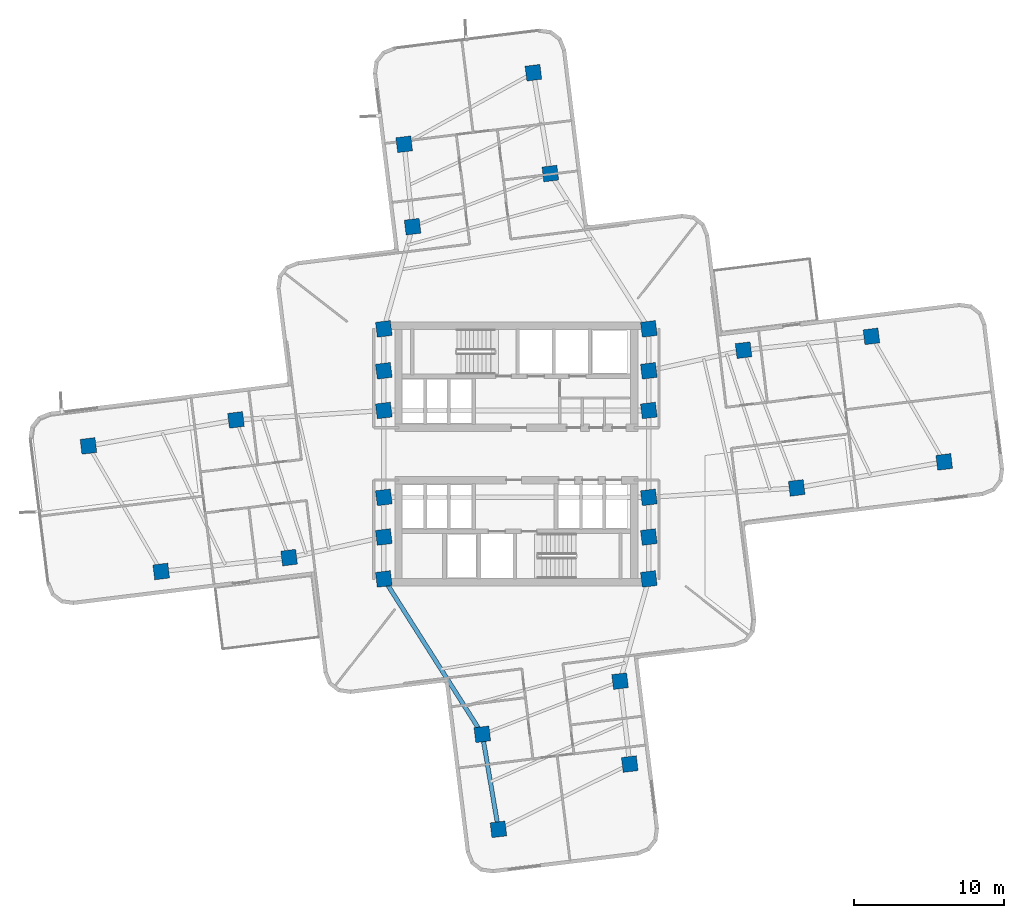
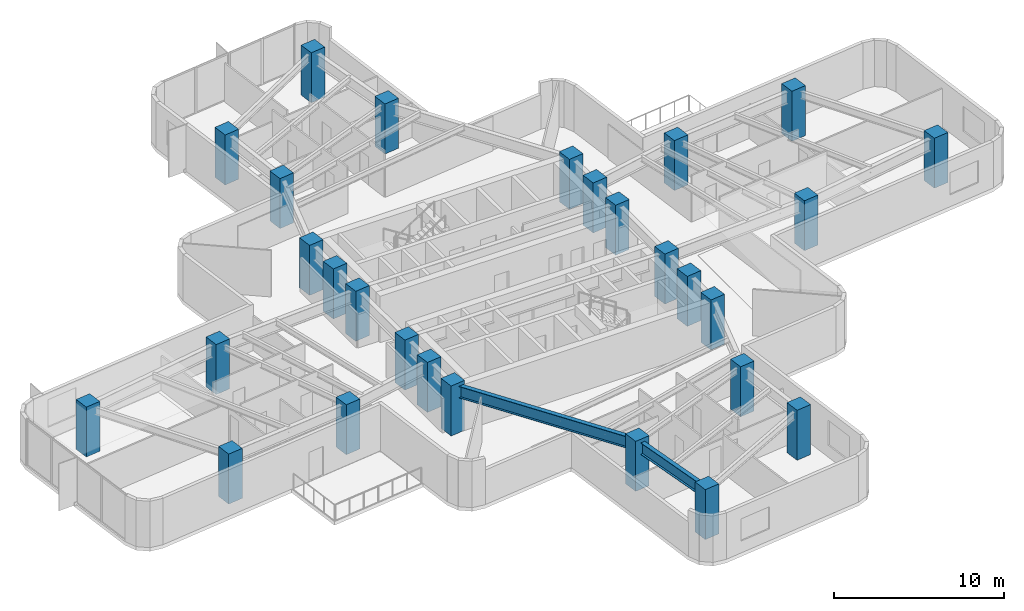
# One storey, part 1 of 13: 28 columns, 2 beams.
"""IFC4 building model written with IfcOpenShell, lengths in metres."""

from ifc_helpers import new_model, si_unit, direction, frame, origin, origin_2d, place, context, subcontext, project, spatial, rectangle, i_section, extrude, material, material_profile, profile_set, type_object, element, save


model = new_model("IFC4")

# Units and contexts
model_context = context("Model", 3, precision=1e-05, world=origin(), true_north=direction((0.0, 1.0)))
body_context = subcontext(model_context, "Body", "Model", "MODEL_VIEW")
ifc_project = project(units=[si_unit("LENGTHUNIT", "METRE"), si_unit("AREAUNIT", "SQUARE_METRE"), si_unit("VOLUMEUNIT", "CUBIC_METRE"), si_unit("PLANEANGLEUNIT", "RADIAN"), si_unit("MASSUNIT", "GRAM", prefix="KILO")], contexts=[model_context])

# Site, building, storey
site_placement = place(None, origin())
site = spatial("IfcSite", under=ifc_project, at=site_placement, CompositionType="ELEMENT")
building_placement = place(site_placement, origin())
building = spatial("IfcBuilding", under=site, at=building_placement, Name="Solmarez Civic Tower", CompositionType="ELEMENT")
storey_placement = place(building_placement, frame((0.0, 0.0, 82.080078125)))
storey = spatial("IfcBuildingStorey", under=building, at=storey_placement, Name="L21", CompositionType="ELEMENT", Elevation=82.080078125)

# Columns
ifc_material_1 = material(Name="Concrete C60/75", Category="concrete")
ifc_material_profile_1 = material_profile(ifc_material_1, rectangle(XDim=1.0, YDim=1.0, at=origin_2d()), Name="RC1000X1000")
ifc_profile_set_1 = profile_set([ifc_material_profile_1], Name="Concrete C60/75")
column_type = type_object("IfcColumnType", Name="COL-RC1000", PredefinedType="COLUMN", material=ifc_profile_set_1)
for number, where, z_axis, x_axis, name in (
    (1, (-8.85009765625, -5.550048828125, 0.0), (0.0, 0.0, 1.0), (0.992546151641, 0.121869343405, 0.0), "L21 Structural Column HC1"),
    (2, (-8.85009765625, -2.89990234375, 0.0), (0.0, 0.0, 1.0), (0.992546151641, 0.121869343405, 0.0), "L21 Structural Column HC2"),
    (3, (-8.85009765625, 2.89990234375, 0.0), (0.0, 0.0, 1.0), (0.992546151641, 0.121869343405, 0.0), "L21 Structural Column HC3"),
    (4, (-8.85009765625, 5.550048828125, 0.0), (0.0, 0.0, 1.0), (0.992546151641, 0.121869343405, 0.0), "L21 Structural Column HC4"),
    (5, (8.85009765625, -5.550048828125, 0.0), (0.0, 0.0, 1.0), (0.992546151641, 0.121869343405, 0.0), "L21 Structural Column HC5"),
    (6, (8.85009765625, -2.89990234375, 0.0), (0.0, 0.0, 1.0), (0.992546151641, 0.121869343405, 0.0), "L21 Structural Column HC6"),
    (7, (8.85009765625, 2.89990234375, 0.0), (0.0, 0.0, 1.0), (0.992546151641, 0.121869343405, 0.0), "L21 Structural Column HC7"),
    (8, (8.85009765625, 5.550048828125, 0.0), (0.0, 0.0, 1.0), (0.992546151641, 0.121869343405, 0.0), "L21 Structural Column HC8"),
    (9, (-8.85009765625, 8.35009765625, 0.0), (0.0, 0.0, 1.0), (0.992546151641, 0.121869343405, 0.0), "L21 Structural Column HC9"),
    (10, (8.85009765625, -8.35009765625, 0.0), (0.0, 0.0, 1.0), (0.992546151641, 0.121869343405, 0.0), "L21 Structural Column HC10"),
    (11, (8.85009765625, 8.35009765625, 0.0), (0.0, 0.0, 1.0), (0.992546151641, 0.121869343405, 0.0), "L21 Structural Column HC11"),
    (12, (-8.85009765625, -8.35009765625, 0.0), (0.0, 0.0, 1.0), (0.992546151641, 0.121869343405, 0.0), "L21 Structural Column HC12"),
    (13, (18.72412109375, -2.27099609375, 0.0), (0.0, 0.0, 1.0), (0.992546151641, 0.121869343405, 0.0), "L21 Structural Column EA11"),
    (14, (15.175048828125, 6.927001953125, 0.0), (0.0, 0.0, 1.0), (0.992546151641, 0.121869343405, 0.0), "L21 Structural Column EA12"),
    (15, (28.575927734375, -0.532958984375, 0.0), (0.0, 0.0, 1.0), (0.992546151641, 0.121869343405, 0.0), "L21 Structural Column EA21"),
    (16, (23.715087890625, 7.85107421875, 0.0), (0.0, 0.0, 1.0), (0.992546151641, 0.121869343405, 0.0), "L21 Structural Column EA22"),
    (17, (2.27099609375, 18.72412109375, 0.0), (0.0, 0.0, 1.0), (0.992546151641, 0.121869343405, 0.0), "L21 Structural Column NA11"),
    (18, (-6.927001953125, 15.175048828125, 0.0), (0.0, 0.0, 1.0), (0.992546151641, 0.121869343405, 0.0), "L21 Structural Column NA12"),
    (19, (1.138916015625, 25.45703125, 0.0), (0.0, 0.0, 1.0), (0.992546151641, 0.121869343405, 0.0), "L21 Structural Column NA21"),
    (20, (-7.489013671875, 20.678955078125, 0.0), (0.0, 0.0, 1.0), (0.992546151641, 0.121869343405, 0.0), "L21 Structural Column NA22"),
    (21, (-18.72412109375, 2.27099609375, 0.0), (0.0, 0.0, 1.0), (0.992546151641, 0.121869343405, 0.0), "L21 Structural Column WA11"),
    (22, (-15.175048828125, -6.927001953125, 0.0), (0.0, 0.0, 1.0), (0.992546151641, 0.121869343405, 0.0), "L21 Structural Column WA12"),
    (23, (-28.575927734375, 0.532958984375, 0.0), (0.0, 0.0, 1.0), (0.992546151641, 0.121869343405, 0.0), "L21 Structural Column WA21"),
    (24, (-23.715087890625, -7.85107421875, 0.0), (0.0, 0.0, 1.0), (0.992546151641, 0.121869343405, 0.0), "L21 Structural Column WA22"),
    (25, (-2.27099609375, -18.72412109375, 0.0), (0.0, 0.0, 1.0), (0.992546151641, 0.121869343405, 0.0), "L21 Structural Column SA11"),
    (26, (6.927001953125, -15.175048828125, 0.0), (0.0, 0.0, 1.0), (0.992546151641, 0.121869343405, 0.0), "L21 Structural Column SA12"),
    (27, (-1.195068359375, -25.073974609375, 0.0), (0.0, 0.0, 1.0), (0.992546151641, 0.121869343405, 0.0), "L21 Structural Column SA21"),
    (28, (7.573974609375, -20.714111328125, 0.0), (0.0, 0.0, 1.0), (0.992546151641, 0.121869343405, 0.0), "L21 Structural Column SA22"),
):
    element("IfcColumn", number, at=place(storey_placement, frame(where, z_axis=z_axis, x_axis=x_axis)), inside=storey, type_object=column_type, Name=name, PredefinedType="COLUMN", context=body_context, shape_type="SweptSolid", body=[
        extrude(rectangle(XDim=1.0, YDim=1.0, at=origin_2d()), origin(), (0.0, 0.0, 1.0), 3.599853515625),
    ])

# Beams
ifc_material_2 = material(Name="Steel S355", Category="steel")
ifc_material_profile_2 = material_profile(ifc_material_2, i_section(OverallWidth=0.2919921875, OverallDepth=0.845947265625, WebThickness=0.015380859375, FlangeThickness=0.0244140625, at=origin_2d()), Name="W33X141")
ifc_profile_set_2 = profile_set([ifc_material_profile_2], Name="Steel S355")
beam_type = type_object("IfcBeamType", Name="BM-PR-W33X141", PredefinedType="BEAM", material=ifc_profile_set_2)
beam_1_placement = place(storey_placement, frame((-8.85009765625, -8.35009765625, 2.9169921875), z_axis=(0.535568299099, -0.84449191648, 0.0), x_axis=(0.84449191648, 0.535568299099, 0.0)))
element("IfcBeam", 29, at=beam_1_placement, inside=storey, type_object=beam_type, Name="L21 Primary Floor Beam BM-L21-SA-R1A", PredefinedType="BEAM", context=body_context, shape_type="SweptSolid", body=[
    extrude(i_section(OverallWidth=0.2919921875, OverallDepth=0.845947265625, WebThickness=0.015380859375, FlangeThickness=0.0244140625, at=origin_2d()), origin(), (0.0, 0.0, 1.0), 12.284423828125),
])
beam_2_placement = place(storey_placement, frame((-2.27099609375, -18.72412109375, 2.9169921875), z_axis=(0.167060138422, -0.985946707561, 0.0), x_axis=(0.985946707561, 0.167060138422, 0.0)))
element("IfcBeam", 30, at=beam_2_placement, inside=storey, type_object=beam_type, Name="L21 Primary Floor Beam BM-L21-SA-R2A", PredefinedType="BEAM", context=body_context, shape_type="SweptSolid", body=[
    extrude(i_section(OverallWidth=0.2919921875, OverallDepth=0.845947265625, WebThickness=0.015380859375, FlangeThickness=0.0244140625, at=origin_2d()), origin(), (0.0, 0.0, 1.0), 6.4404296875),
])

save(model, "model.ifc")
